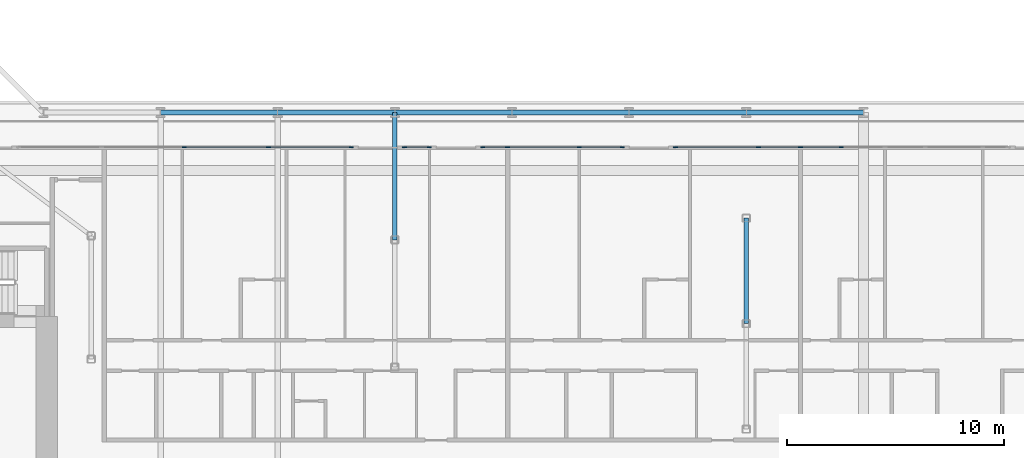
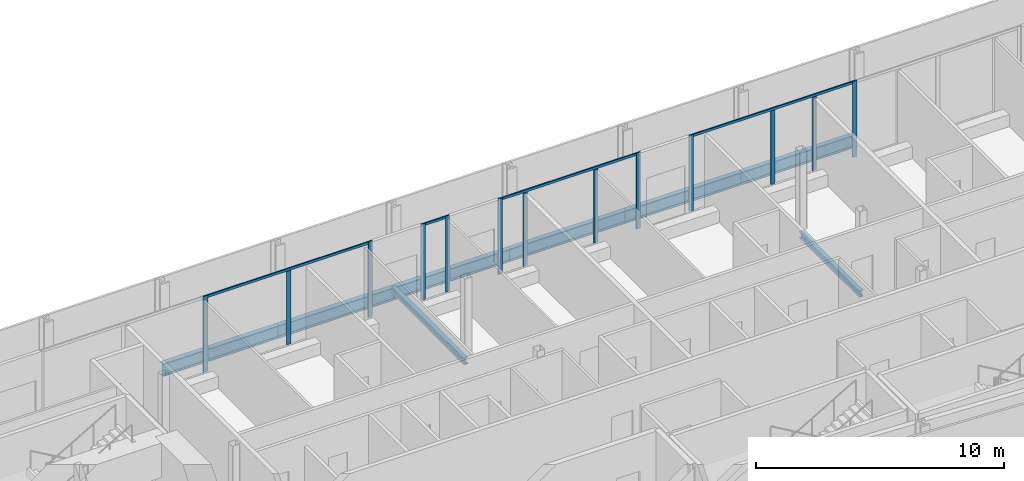
# One storey, part 6 of 29: 17 members, 8 beams, 5 elements without a shape of their own.
"""IFC4 building model written with IfcOpenShell, lengths in metres."""

from ifc_helpers import new_model, si_unit, direction, frame, origin, origin_2d, place, context, subcontext, project, spatial, rectangle, i_section, extrude, material, layer, layer_set, material_profile, profile_set, type_object, element, aggregate, save


model = new_model("IFC4")

# Units and contexts
model_context = context("Model", 3, precision=1e-05, world=origin(), true_north=direction((0.0, 1.0)))
body_context = subcontext(model_context, "Body", "Model", "MODEL_VIEW")
ifc_project = project(units=[si_unit("LENGTHUNIT", "METRE"), si_unit("AREAUNIT", "SQUARE_METRE"), si_unit("VOLUMEUNIT", "CUBIC_METRE"), si_unit("PLANEANGLEUNIT", "RADIAN"), si_unit("MASSUNIT", "GRAM", prefix="KILO")], contexts=[model_context])

# Site, building, storey
site_placement = place(None, origin())
site = spatial("IfcSite", under=ifc_project, at=site_placement, CompositionType="ELEMENT")
building_placement = place(site_placement, origin())
building = spatial("IfcBuilding", under=site, at=building_placement, Name="Kheshtan School and Residences Tower", CompositionType="ELEMENT")
storey_placement = place(building_placement, frame((0.0, 0.0, 61.699951171875)))
storey = spatial("IfcBuildingStorey", under=building, at=storey_placement, Name="L14", CompositionType="ELEMENT", Elevation=61.699951171875)

# Beams
ifc_material_1 = material(Name="Steel ASTM A992 Grade 50", Category="steel")
ifc_material_profile_1 = material_profile(ifc_material_1, i_section(OverallWidth=0.202880859375, OverallDepth=0.302978515625, WebThickness=0.007568359375, FlangeThickness=0.01318359375, FilletRadius=0.009033203125, at=origin_2d()), Name="W310x60")
ifc_profile_set_1 = profile_set([ifc_material_profile_1], Name="Steel ASTM A992 Grade 50")
beam_type_1 = type_object("IfcBeamType", Name="Beam FB1 W310x60 ASTM A992 Grade 50", PredefinedType="BEAM", material=ifc_profile_set_1)
beam_1_placement = place(storey_placement, frame((69.199951171875, 45.60009765625, -0.301513671875), z_axis=(0.0, -1.0, 0.0), x_axis=(1.0, 0.0, 0.0)))
element("IfcBeam", 1, at=beam_1_placement, inside=storey, type_object=beam_type_1, Name="Floor beam C064", PredefinedType="BEAM", context=body_context, shape_type="SweptSolid", body=[
    extrude(i_section(OverallWidth=0.202880859375, OverallDepth=0.302978515625, WebThickness=0.007568359375, FlangeThickness=0.01318359375, FilletRadius=0.009033203125, at=origin_2d()), origin(), (0.0, 0.0, 1.0), 5.8681640625),
])
beam_2_placement = place(storey_placement, frame((85.39990234375, 40.735107421875, -0.301513671875), z_axis=(0.0, -1.0, 0.0), x_axis=(1.0, 0.0, 0.0)))
element("IfcBeam", 2, at=beam_2_placement, inside=storey, type_object=beam_type_1, Name="Floor beam IC", PredefinedType="BEAM", context=body_context, shape_type="SweptSolid", body=[
    extrude(i_section(OverallWidth=0.202880859375, OverallDepth=0.302978515625, WebThickness=0.007568359375, FlangeThickness=0.01318359375, FilletRadius=0.009033203125, at=origin_2d()), origin(), (0.0, 0.0, 1.0), 4.864990234375),
])
ifc_material_profile_2 = material_profile(ifc_material_1, i_section(OverallWidth=0.22998046875, OverallDepth=0.616943359375, WebThickness=0.01318359375, FlangeThickness=0.022216796875, FilletRadius=0.0185546875, at=origin_2d()), Name="W610x140")
ifc_profile_set_2 = profile_set([ifc_material_profile_2], Name="Steel ASTM A992 Grade 50")
beam_type_2 = type_object("IfcBeamType", Name="Beam SP1 W610x140 ASTM A992 Grade 50", PredefinedType="BEAM", material=ifc_profile_set_2)
beam_3_placement = place(storey_placement, frame((58.39990234375, 45.60009765625, -0.45849609375), z_axis=(1.0, 0.0, 0.0), x_axis=(0.0, 1.0, 0.0)))
element("IfcBeam", 3, at=beam_3_placement, inside=storey, type_object=beam_type_2, Name="Spandrel beam C062-C063", PredefinedType="BEAM", context=body_context, shape_type="SweptSolid", body=[
    extrude(i_section(OverallWidth=0.22998046875, OverallDepth=0.616943359375, WebThickness=0.01318359375, FlangeThickness=0.022216796875, FilletRadius=0.0185546875, at=origin_2d()), origin(), (0.0, 0.0, 1.0), 5.400146484375),
])
beam_4_placement = place(storey_placement, frame((63.800048828125, 45.60009765625, -0.45849609375), z_axis=(1.0, 0.0, 0.0), x_axis=(0.0, 1.0, 0.0)))
element("IfcBeam", 4, at=beam_4_placement, inside=storey, type_object=beam_type_2, Name="Spandrel beam C063-C064", PredefinedType="BEAM", context=body_context, shape_type="SweptSolid", body=[
    extrude(i_section(OverallWidth=0.22998046875, OverallDepth=0.616943359375, WebThickness=0.01318359375, FlangeThickness=0.022216796875, FilletRadius=0.0185546875, at=origin_2d()), origin(), (0.0, 0.0, 1.0), 5.39990234375),
])
beam_5_placement = place(storey_placement, frame((69.199951171875, 45.60009765625, -0.45849609375), z_axis=(1.0, 0.0, 0.0), x_axis=(0.0, 1.0, 0.0)))
element("IfcBeam", 5, at=beam_5_placement, inside=storey, type_object=beam_type_2, Name="Spandrel beam C064-C065", PredefinedType="BEAM", context=body_context, shape_type="SweptSolid", body=[
    extrude(i_section(OverallWidth=0.22998046875, OverallDepth=0.616943359375, WebThickness=0.01318359375, FlangeThickness=0.022216796875, FilletRadius=0.0185546875, at=origin_2d()), origin(), (0.0, 0.0, 1.0), 5.400146484375),
])
for number, where, z_axis, x_axis, name in (
    (6, (74.60009765625, 45.60009765625, -0.45849609375), (1.0, 0.0, 0.0), (0.0, 1.0, 0.0), "Spandrel beam C065-C066"),
    (7, (80.0, 45.60009765625, -0.45849609375), (1.0, 0.0, 0.0), (0.0, 1.0, 0.0), "Spandrel beam C066-C067"),
):
    element("IfcBeam", number, at=place(storey_placement, frame(where, z_axis=z_axis, x_axis=x_axis)), inside=storey, type_object=beam_type_2, Name=name, PredefinedType="BEAM", context=body_context, shape_type="SweptSolid", body=[
        extrude(i_section(OverallWidth=0.22998046875, OverallDepth=0.616943359375, WebThickness=0.01318359375, FlangeThickness=0.022216796875, FilletRadius=0.0185546875, at=origin_2d()), origin(), (0.0, 0.0, 1.0), 5.39990234375),
    ])
beam_6_placement = place(storey_placement, frame((85.39990234375, 45.60009765625, -0.45849609375), z_axis=(1.0, 0.0, 0.0), x_axis=(0.0, 1.0, 0.0)))
element("IfcBeam", 8, at=beam_6_placement, inside=storey, type_object=beam_type_2, Name="Spandrel beam C067-C068", PredefinedType="BEAM", context=body_context, shape_type="SweptSolid", body=[
    extrude(i_section(OverallWidth=0.22998046875, OverallDepth=0.616943359375, WebThickness=0.01318359375, FlangeThickness=0.022216796875, FilletRadius=0.0185546875, at=origin_2d()), origin(), (0.0, 0.0, 1.0), 5.400146484375),
])

# Curtain wall, member
ifc_material_2 = material(Name="Clear low-e glass in thermally broken aluminium frame", Category="aluminium")
ifc_layer = layer(ifc_material_2, 0.199951171875)
ifc_layer_set = layer_set([ifc_layer], Name="Curtain wall CW-L")
curtain_wall_type = type_object("IfcCurtainWallType", Name="Curtain wall CW-L", PredefinedType="NOTDEFINED", material=ifc_layer_set)
curtain_wall_1_placement = place(storey_placement, origin())
curtain_wall_1 = element("IfcCurtainWall", 9, at=curtain_wall_1_placement, inside=storey, type_object=curtain_wall_type, Name="Curtain wall CWL12j", PredefinedType="NOTDEFINED")
ifc_material_3 = material(Name="Thermally broken aluminium, dark bronze anodised", Category="aluminium")
ifc_material_profile_3 = material_profile(ifc_material_3, rectangle(XDim=0.06005859375, YDim=0.199951171875, at=origin_2d()), Name="CW-L mullion 60x200")
ifc_profile_set_3 = profile_set([ifc_material_profile_3], Name="Thermally broken aluminium, dark bronze anodised")
member_type_1 = type_object("IfcMemberType", Name="CW-L mullion 60x200", PredefinedType="MULLION", material=ifc_profile_set_3)
member_1_placement = place(storey_placement, frame((59.493896484375, 44.0, 0.0), z_axis=(0.0, 0.0, 1.0), x_axis=(0.0, 1.0, 0.0)))
member_1 = element("IfcMember", 10, at=member_1_placement, type_object=member_type_1, Name="CWL12j mullion 3", PredefinedType="MULLION", context=body_context, shape_type="SweptSolid", body=[
    extrude(rectangle(XDim=0.06005859375, YDim=0.199951171875, at=origin_2d()), origin(), (0.0, 0.0, 1.0), 3.75),
])
aggregate(curtain_wall_1, [member_1])

# Curtain wall, members
curtain_wall_2_placement = place(storey_placement, origin())
curtain_wall_2 = element("IfcCurtainWall", 11, at=curtain_wall_2_placement, inside=storey, type_object=curtain_wall_type, Name="Curtain wall CWL12j", PredefinedType="NOTDEFINED")
member_2_placement = place(storey_placement, frame((63.37109375, 44.0, 0.0), z_axis=(0.0, 0.0, 1.0), x_axis=(0.0, 1.0, 0.0)))
member_2 = element("IfcMember", 12, at=member_2_placement, type_object=member_type_1, Name="CWL12j mullion 2", PredefinedType="MULLION", context=body_context, shape_type="SweptSolid", body=[
    extrude(rectangle(XDim=0.06005859375, YDim=0.199951171875, at=origin_2d()), origin(), (0.0, 0.0, 1.0), 3.630126953125),
])
member_3_placement = place(storey_placement, frame((67.18798828125, 44.0, 0.0), z_axis=(0.0, 0.0, 1.0), x_axis=(0.0, 1.0, 0.0)))
member_3 = element("IfcMember", 13, at=member_3_placement, type_object=member_type_1, Name="CWL12j mullion 3", PredefinedType="MULLION", context=body_context, shape_type="SweptSolid", body=[
    extrude(rectangle(XDim=0.06005859375, YDim=0.199951171875, at=origin_2d()), origin(), (0.0, 0.0, 1.0), 3.75),
])

curtain_wall_3_placement = place(storey_placement, origin())
curtain_wall_3 = element("IfcCurtainWall", 14, at=curtain_wall_3_placement, inside=storey, type_object=curtain_wall_type, Name="Curtain wall CWL12b", PredefinedType="NOTDEFINED")
member_4_placement = place(storey_placement, frame((69.64794921875, 44.0, 0.0), z_axis=(0.0, 0.0, 1.0), x_axis=(0.0, 1.0, 0.0)))
member_4 = element("IfcMember", 15, at=member_4_placement, type_object=member_type_1, Name="CWL12b mullion 1", PredefinedType="MULLION", context=body_context, shape_type="SweptSolid", body=[
    extrude(rectangle(XDim=0.06005859375, YDim=0.199951171875, at=origin_2d()), origin(), (0.0, 0.0, 1.0), 3.75),
])
member_5_placement = place(storey_placement, frame((70.7880859375, 44.0, 0.0), z_axis=(0.0, 0.0, 1.0), x_axis=(0.0, 1.0, 0.0)))
member_5 = element("IfcMember", 16, at=member_5_placement, type_object=member_type_1, Name="CWL12b mullion 2", PredefinedType="MULLION", context=body_context, shape_type="SweptSolid", body=[
    extrude(rectangle(XDim=0.06005859375, YDim=0.199951171875, at=origin_2d()), origin(), (0.0, 0.0, 1.0), 3.75),
])

curtain_wall_4_placement = place(storey_placement, origin())
curtain_wall_4 = element("IfcCurtainWall", 17, at=curtain_wall_4_placement, inside=storey, type_object=curtain_wall_type, Name="Curtain wall CWL12l", PredefinedType="NOTDEFINED")
member_6_placement = place(storey_placement, frame((73.248046875, 44.0, 0.0), z_axis=(0.0, 0.0, 1.0), x_axis=(0.0, 1.0, 0.0)))
member_6 = element("IfcMember", 18, at=member_6_placement, type_object=member_type_1, Name="CWL12l mullion 1", PredefinedType="MULLION", context=body_context, shape_type="SweptSolid", body=[
    extrude(rectangle(XDim=0.06005859375, YDim=0.199951171875, at=origin_2d()), origin(), (0.0, 0.0, 1.0), 3.75),
])
member_7_placement = place(storey_placement, frame((74.39990234375, 44.0, 0.0), z_axis=(0.0, 0.0, 1.0), x_axis=(0.0, 1.0, 0.0)))
member_7 = element("IfcMember", 19, at=member_7_placement, type_object=member_type_1, Name="CWL12l mullion 2", PredefinedType="MULLION", context=body_context, shape_type="SweptSolid", body=[
    extrude(rectangle(XDim=0.06005859375, YDim=0.199951171875, at=origin_2d()), origin(), (0.0, 0.0, 1.0), 3.630126953125),
])
member_8_placement = place(storey_placement, frame((77.699951171875, 44.0, 0.0), z_axis=(0.0, 0.0, 1.0), x_axis=(0.0, 1.0, 0.0)))
member_8 = element("IfcMember", 20, at=member_8_placement, type_object=member_type_1, Name="CWL12l mullion 3", PredefinedType="MULLION", context=body_context, shape_type="SweptSolid", body=[
    extrude(rectangle(XDim=0.06005859375, YDim=0.199951171875, at=origin_2d()), origin(), (0.0, 0.0, 1.0), 3.630126953125),
])
member_9_placement = place(storey_placement, frame((79.681884765625, 44.0, 0.0), z_axis=(0.0, 0.0, 1.0), x_axis=(0.0, 1.0, 0.0)))
member_9 = element("IfcMember", 21, at=member_9_placement, type_object=member_type_1, Name="CWL12l mullion 4", PredefinedType="MULLION", context=body_context, shape_type="SweptSolid", body=[
    extrude(rectangle(XDim=0.06005859375, YDim=0.199951171875, at=origin_2d()), origin(), (0.0, 0.0, 1.0), 3.75),
])

curtain_wall_5_placement = place(storey_placement, origin())
curtain_wall_5 = element("IfcCurtainWall", 22, at=curtain_wall_5_placement, inside=storey, type_object=curtain_wall_type, Name="Curtain wall CWL12k", PredefinedType="NOTDEFINED")
member_10_placement = place(storey_placement, frame((82.14208984375, 44.0, 0.0), z_axis=(0.0, 0.0, 1.0), x_axis=(0.0, 1.0, 0.0)))
member_10 = element("IfcMember", 23, at=member_10_placement, type_object=member_type_1, Name="CWL12k mullion 1", PredefinedType="MULLION", context=body_context, shape_type="SweptSolid", body=[
    extrude(rectangle(XDim=0.06005859375, YDim=0.199951171875, at=origin_2d()), origin(), (0.0, 0.0, 1.0), 3.75),
])
member_11_placement = place(storey_placement, frame((85.958984375, 44.0, 0.0), z_axis=(0.0, 0.0, 1.0), x_axis=(0.0, 1.0, 0.0)))
member_11 = element("IfcMember", 24, at=member_11_placement, type_object=member_type_1, Name="CWL12k mullion 2", PredefinedType="MULLION", context=body_context, shape_type="SweptSolid", body=[
    extrude(rectangle(XDim=0.06005859375, YDim=0.199951171875, at=origin_2d()), origin(), (0.0, 0.0, 1.0), 3.630126953125),
])
member_12_placement = place(storey_placement, frame((87.89990234375, 44.0, 0.0), z_axis=(0.0, 0.0, 1.0), x_axis=(0.0, 1.0, 0.0)))
member_12 = element("IfcMember", 25, at=member_12_placement, type_object=member_type_1, Name="CWL12k mullion 3", PredefinedType="MULLION", context=body_context, shape_type="SweptSolid", body=[
    extrude(rectangle(XDim=0.06005859375, YDim=0.199951171875, at=origin_2d()), origin(), (0.0, 0.0, 1.0), 3.630126953125),
])
member_13_placement = place(storey_placement, frame((89.77587890625, 44.0, 0.0), z_axis=(0.0, 0.0, 1.0), x_axis=(0.0, 1.0, 0.0)))
member_13 = element("IfcMember", 26, at=member_13_placement, type_object=member_type_1, Name="CWL12k mullion 4", PredefinedType="MULLION", context=body_context, shape_type="SweptSolid", body=[
    extrude(rectangle(XDim=0.06005859375, YDim=0.199951171875, at=origin_2d()), origin(), (0.0, 0.0, 1.0), 3.75),
])

# Member
ifc_material_profile_4 = material_profile(ifc_material_3, rectangle(XDim=0.06005859375, YDim=0.1201171875, at=origin_2d()), Name="CW-L transom 60x120")
ifc_profile_set_4 = profile_set([ifc_material_profile_4], Name="Thermally broken aluminium, dark bronze anodised")
member_type_2 = type_object("IfcMemberType", Name="CW-L transom 60x120", PredefinedType="USERDEFINED", material=ifc_profile_set_4)
member_14_placement = place(storey_placement, frame((59.52392578125, 44.0, 3.68994140625), z_axis=(1.0, 0.0, 0.0), x_axis=(0.0, 1.0, 0.0)))
member_14 = element("IfcMember", 27, at=member_14_placement, type_object=member_type_2, Name="CWL12j transom 1", ObjectType="TRANSOM", PredefinedType="USERDEFINED", context=body_context, shape_type="SweptSolid", body=[
    extrude(rectangle(XDim=0.06005859375, YDim=0.1201171875, at=origin_2d()), origin(), (0.0, 0.0, 1.0), 7.634033203125),
])

aggregate(curtain_wall_2, [member_2, member_3, member_14])

member_15_placement = place(storey_placement, frame((69.677978515625, 44.0, 3.68994140625), z_axis=(1.0, 0.0, 0.0), x_axis=(0.0, 1.0, 0.0)))
member_15 = element("IfcMember", 28, at=member_15_placement, type_object=member_type_2, Name="CWL12b transom 1", ObjectType="TRANSOM", PredefinedType="USERDEFINED", context=body_context, shape_type="SweptSolid", body=[
    extrude(rectangle(XDim=0.06005859375, YDim=0.1201171875, at=origin_2d()), origin(), (0.0, 0.0, 1.0), 1.080078125),
])

aggregate(curtain_wall_3, [member_4, member_5, member_15])

member_16_placement = place(storey_placement, frame((73.278076171875, 44.0, 3.68994140625), z_axis=(1.0, 0.0, 0.0), x_axis=(0.0, 1.0, 0.0)))
member_16 = element("IfcMember", 29, at=member_16_placement, type_object=member_type_2, Name="CWL12l transom 1", ObjectType="TRANSOM", PredefinedType="USERDEFINED", context=body_context, shape_type="SweptSolid", body=[
    extrude(rectangle(XDim=0.06005859375, YDim=0.1201171875, at=origin_2d()), origin(), (0.0, 0.0, 1.0), 6.3740234375),
])

aggregate(curtain_wall_4, [member_6, member_7, member_8, member_9, member_16])

member_17_placement = place(storey_placement, frame((82.172119140625, 44.0, 3.68994140625), z_axis=(1.0, 0.0, 0.0), x_axis=(0.0, 1.0, 0.0)))
member_17 = element("IfcMember", 30, at=member_17_placement, type_object=member_type_2, Name="CWL12k transom 1", ObjectType="TRANSOM", PredefinedType="USERDEFINED", context=body_context, shape_type="SweptSolid", body=[
    extrude(rectangle(XDim=0.06005859375, YDim=0.1201171875, at=origin_2d()), origin(), (0.0, 0.0, 1.0), 7.573974609375),
])

aggregate(curtain_wall_5, [member_10, member_11, member_12, member_13, member_17])

save(model, "model.ifc")
